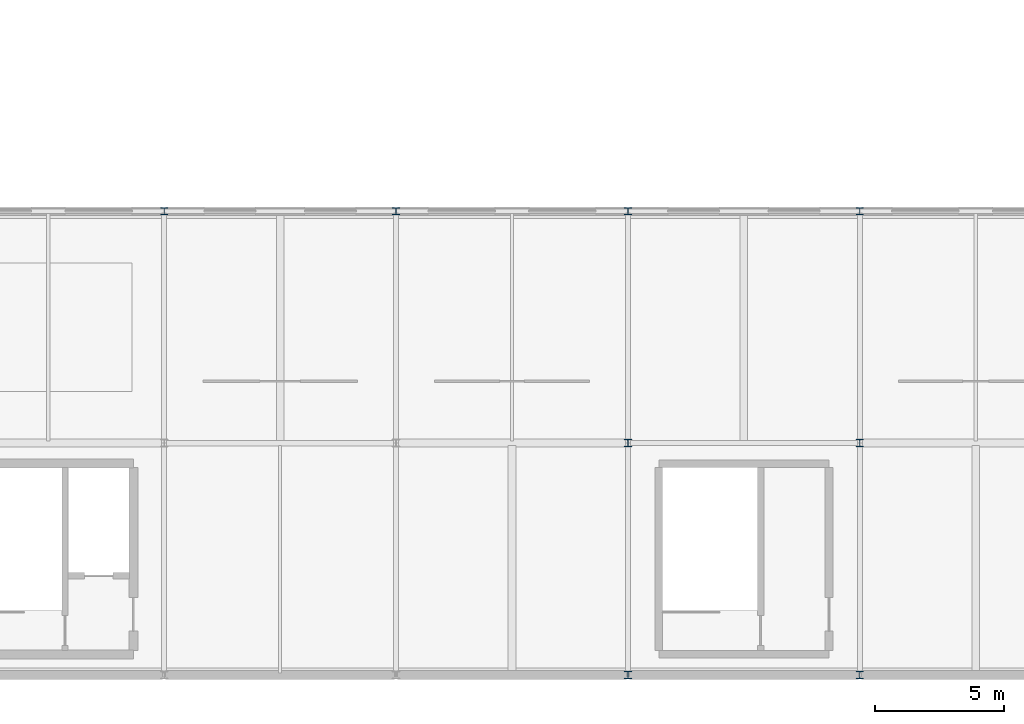
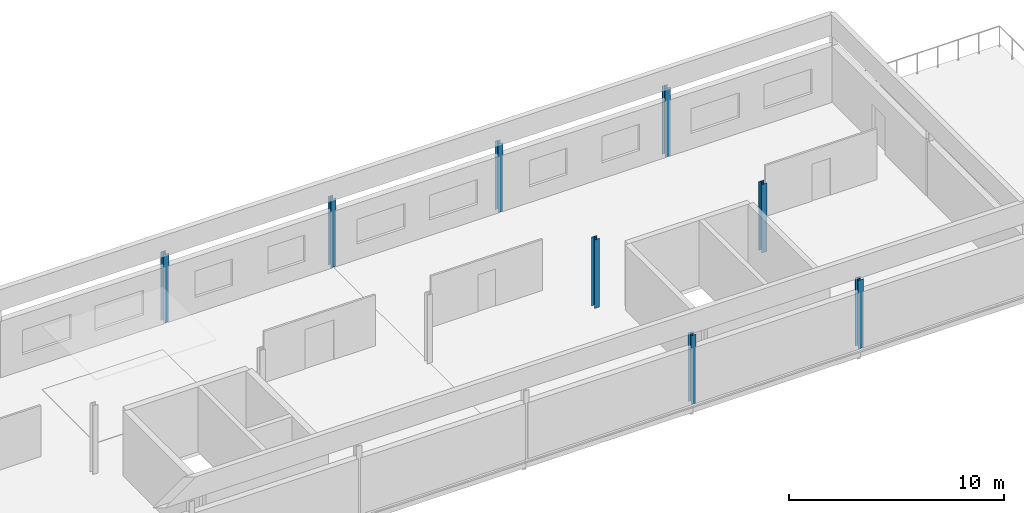
# One storey, part 2 of 18: 8 columns.
"""IFC4 building model written with IfcOpenShell, lengths in metres."""

from ifc_helpers import new_model, si_unit, direction, frame, origin, origin_2d, place, context, subcontext, project, spatial, i_section, extrude, material, material_profile, profile_set, type_object, element, save


model = new_model("IFC4")

# Units and contexts
model_context = context("Model", 3, precision=1e-05, world=origin(), true_north=direction((0.0, 1.0)))
body_context = subcontext(model_context, "Body", "Model", "MODEL_VIEW")
ifc_project = project(units=[si_unit("LENGTHUNIT", "METRE"), si_unit("AREAUNIT", "SQUARE_METRE"), si_unit("VOLUMEUNIT", "CUBIC_METRE"), si_unit("PLANEANGLEUNIT", "RADIAN"), si_unit("MASSUNIT", "GRAM", prefix="KILO")], contexts=[model_context])

# Site, building, storey
site_placement = place(None, origin())
site = spatial("IfcSite", under=ifc_project, at=site_placement, CompositionType="ELEMENT")
building_placement = place(site_placement, origin())
building = spatial("IfcBuilding", under=site, at=building_placement, Name="Kildeholm Park Wholesale Market", CompositionType="ELEMENT")
storey_placement = place(building_placement, frame((0.0, 0.0, 13.5)))
storey = spatial("IfcBuildingStorey", under=building, at=storey_placement, Name="L03", CompositionType="ELEMENT", Elevation=13.5)

# Columns
ifc_material = material(Name="Steel S355", Category="steel")
ifc_material_profile = material_profile(ifc_material, i_section(OverallWidth=0.280029296875, OverallDepth=0.280029296875, WebThickness=0.010498046875, FlangeThickness=0.01806640625, FilletRadius=0.02392578125, at=origin_2d()), Name="HEB 280")
ifc_profile_set = profile_set([ifc_material_profile], Name="Steel S355")
column_type = type_object("IfcColumnType", Name="Column C-S02 HEB 280", PredefinedType="COLUMN", material=ifc_profile_set)
for number, where, z_axis, x_axis, name in (
    (1, (36.0, 18.0, 0.0), (0.0, 0.0, 1.0), (1.0, 0.0, 0.0), "Column V5W-036-018 L03 COL-0690"),
    (2, (45.0, 18.0, 0.0), (0.0, 0.0, 1.0), (1.0, 0.0, 0.0), "Column V5W-045-018 L03 COL-0704"),
    (3, (54.0, 0.0, 0.0), (0.0, 0.0, 1.0), (1.0, 0.0, 0.0), "Column V5W-054-000 L03 COL-0710"),
    (4, (54.0, 9.0, 0.0), (0.0, 0.0, 1.0), (1.0, 0.0, 0.0), "Column V5W-054-009 L03 COL-0714"),
    (5, (54.0, 18.0, 0.0), (0.0, 0.0, 1.0), (1.0, 0.0, 0.0), "Column V5W-054-018 L03 COL-0718"),
    (6, (63.0, 0.0, 0.0), (0.0, 0.0, 1.0), (1.0, 0.0, 0.0), "Column V5W-063-000 L03 COL-0724"),
    (7, (63.0, 9.0, 0.0), (0.0, 0.0, 1.0), (1.0, 0.0, 0.0), "Column V5W-063-009 L03 COL-0728"),
    (8, (63.0, 18.0, 0.0), (0.0, 0.0, 1.0), (1.0, 0.0, 0.0), "Column V5W-063-018 L03 COL-0732"),
):
    element("IfcColumn", number, at=place(storey_placement, frame(where, z_axis=z_axis, x_axis=x_axis)), inside=storey, type_object=column_type, Name=name, PredefinedType="COLUMN", context=body_context, shape_type="SweptSolid", body=[
        extrude(i_section(OverallWidth=0.280029296875, OverallDepth=0.280029296875, WebThickness=0.010498046875, FlangeThickness=0.01806640625, FilletRadius=0.02392578125, at=origin_2d()), origin(), (0.0, 0.0, 1.0), 3.89990234375),
    ])

save(model, "model.ifc")
